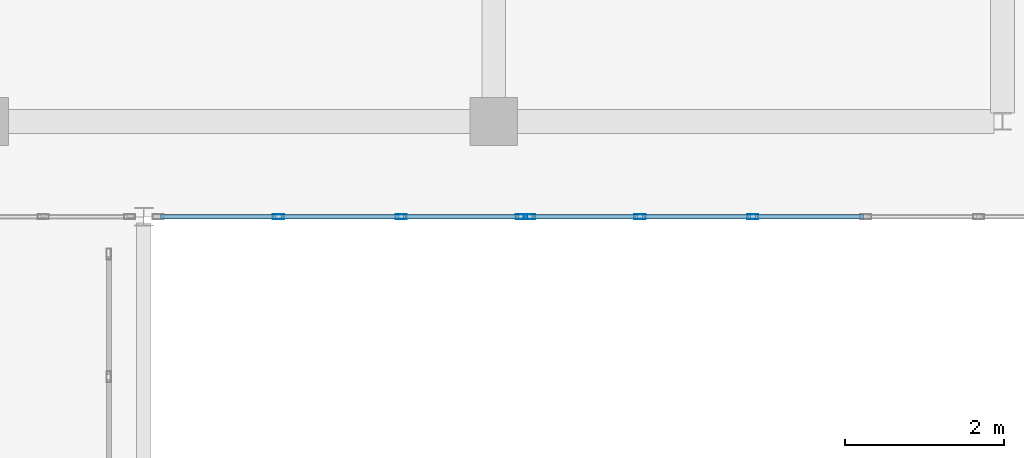
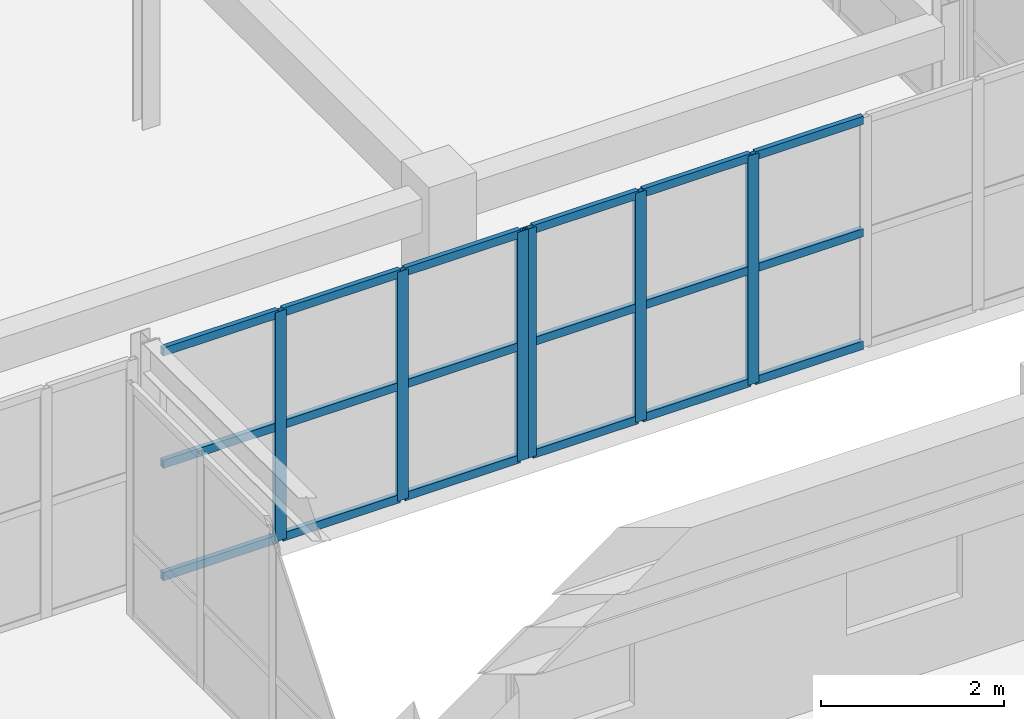
# One storey, part 57 of 200: 24 members, 2 elements without a shape of their own.
"""IFC4 building model written with IfcOpenShell, lengths in metres."""

from ifc_helpers import new_model, si_unit, direction, frame, origin, origin_2d, place, context, subcontext, project, spatial, hollow_rectangle, extrude, material, layer, layer_set, material_profile, profile_set, type_object, element, aggregate, save


model = new_model("IFC4")

# Units and contexts
model_context = context("Model", 3, precision=1e-05, world=origin(), true_north=direction((0.0, 1.0)))
body_context = subcontext(model_context, "Body", "Model", "MODEL_VIEW")
ifc_project = project(units=[si_unit("LENGTHUNIT", "METRE"), si_unit("AREAUNIT", "SQUARE_METRE"), si_unit("VOLUMEUNIT", "CUBIC_METRE"), si_unit("PLANEANGLEUNIT", "RADIAN"), si_unit("MASSUNIT", "GRAM", prefix="KILO")], contexts=[model_context])

# Site, building, storey
site_placement = place(None, origin())
site = spatial("IfcSite", under=ifc_project, at=site_placement, CompositionType="ELEMENT")
building_placement = place(site_placement, origin())
building = spatial("IfcBuilding", under=site, at=building_placement, Name="Trelvath General Hospital", CompositionType="ELEMENT")
storey_placement = place(building_placement, frame((0.0, 0.0, 4.800048828125)))
storey = spatial("IfcBuildingStorey", under=building, at=storey_placement, Name="L01", CompositionType="ELEMENT", Elevation=4.800048828125)

# Curtain wall, members
ifc_material_1 = material(Name="Anodised aluminium and low-E glass", Category="aluminium")
ifc_layer_1 = layer(ifc_material_1, 0.14990234375)
ifc_layer_set_1 = layer_set([ifc_layer_1], Name="Anodised aluminium and low-E glass")
curtain_wall_type_1 = type_object("IfcCurtainWallType", Name="CW CrystalCube 463 306 15", PredefinedType="USERDEFINED", material=ifc_layer_set_1)
curtain_wall_1_placement = place(storey_placement, origin())
curtain_wall_1 = element("IfcCurtainWall", 1, at=curtain_wall_1_placement, inside=storey, type_object=curtain_wall_type_1, Name="Crystal Cube Curtain Wall CUBE-E-T0 S4 L01", ObjectType="Unitised Glazed Curtain Wall", PredefinedType="USERDEFINED")
ifc_material_2 = material(Name="Anodised aluminium", Category="aluminium")
ifc_material_profile_1 = material_profile(ifc_material_2, hollow_rectangle(XDim=0.06005859375, YDim=0.139892578125, WallThickness=0.00390625, at=origin_2d()), Name="RHS60x140x4")
ifc_profile_set_1 = profile_set([ifc_material_profile_1], Name="Anodised aluminium")
member_type_1 = type_object("IfcMemberType", Name="CurtainMullion 60x140", PredefinedType="MULLION", material=ifc_profile_set_1)
member_1_placement = place(storey_placement, frame((113.949951171875, 30.800048828125, 0.0), z_axis=(0.0, 0.0, 1.0), x_axis=(0.0, -1.0, 0.0)))
member_1 = element("IfcMember", 2, at=member_1_placement, type_object=member_type_1, Name="CW-153 mullion 1", PredefinedType="MULLION", context=body_context, shape_type="SweptSolid", body=[
    extrude(hollow_rectangle(XDim=0.06005859375, YDim=0.139892578125, WallThickness=0.00390625, at=origin_2d()), origin(), (0.0, 0.0, 1.0), 3.06005859375),
])
member_2_placement = place(storey_placement, frame((112.436767578125, 30.800048828125, 0.0), z_axis=(0.0, 0.0, 1.0), x_axis=(0.0, -1.0, 0.0)))
member_2 = element("IfcMember", 3, at=member_2_placement, type_object=member_type_1, Name="CW-153 mullion 2", PredefinedType="MULLION", context=body_context, shape_type="SweptSolid", body=[
    extrude(hollow_rectangle(XDim=0.06005859375, YDim=0.139892578125, WallThickness=0.00390625, at=origin_2d()), origin(), (0.0, 0.0, 1.0), 3.06005859375),
])
member_3_placement = place(storey_placement, frame((110.893310546875, 30.800048828125, 0.0), z_axis=(0.0, 0.0, 1.0), x_axis=(0.0, -1.0, 0.0)))
member_3 = element("IfcMember", 4, at=member_3_placement, type_object=member_type_1, Name="CW-153 mullion 3", PredefinedType="MULLION", context=body_context, shape_type="SweptSolid", body=[
    extrude(hollow_rectangle(XDim=0.06005859375, YDim=0.139892578125, WallThickness=0.00390625, at=origin_2d()), origin(), (0.0, 0.0, 1.0), 3.06005859375),
])

ifc_material_3 = material(Name="Anodised aluminium and low-E glass", Category="aluminium")
ifc_layer_2 = layer(ifc_material_3, 0.14990234375)
ifc_layer_set_2 = layer_set([ifc_layer_2], Name="Anodised aluminium and low-E glass")
curtain_wall_type_2 = type_object("IfcCurtainWallType", Name="CW CrystalCube 710 306 15", PredefinedType="USERDEFINED", material=ifc_layer_set_2)
curtain_wall_2_placement = place(storey_placement, origin())
curtain_wall_2 = element("IfcCurtainWall", 5, at=curtain_wall_2_placement, inside=storey, type_object=curtain_wall_type_2, Name="Crystal Cube Curtain Wall CUBE-E-T0 S5 L01", ObjectType="Unitised Glazed Curtain Wall", PredefinedType="USERDEFINED")
member_4_placement = place(storey_placement, frame((116.860107421875, 30.800048828125, 0.0), z_axis=(0.0, 0.0, 1.0), x_axis=(0.0, -1.0, 0.0)))
member_4 = element("IfcMember", 6, at=member_4_placement, type_object=member_type_1, Name="CW-154 mullion 4", PredefinedType="MULLION", context=body_context, shape_type="SweptSolid", body=[
    extrude(hollow_rectangle(XDim=0.06005859375, YDim=0.139892578125, WallThickness=0.00390625, at=origin_2d()), origin(), (0.0, 0.0, 1.0), 3.06005859375),
])
member_5_placement = place(storey_placement, frame((115.43994140625, 30.800048828125, 0.0), z_axis=(0.0, 0.0, 1.0), x_axis=(0.0, -1.0, 0.0)))
member_5 = element("IfcMember", 7, at=member_5_placement, type_object=member_type_1, Name="CW-154 mullion 5", PredefinedType="MULLION", context=body_context, shape_type="SweptSolid", body=[
    extrude(hollow_rectangle(XDim=0.06005859375, YDim=0.139892578125, WallThickness=0.00390625, at=origin_2d()), origin(), (0.0, 0.0, 1.0), 3.06005859375),
])
member_6_placement = place(storey_placement, frame((114.050048828125, 30.800048828125, 0.0), z_axis=(0.0, 0.0, 1.0), x_axis=(0.0, -1.0, 0.0)))
member_6 = element("IfcMember", 8, at=member_6_placement, type_object=member_type_1, Name="CW-154 mullion 6", PredefinedType="MULLION", context=body_context, shape_type="SweptSolid", body=[
    extrude(hollow_rectangle(XDim=0.06005859375, YDim=0.139892578125, WallThickness=0.00390625, at=origin_2d()), origin(), (0.0, 0.0, 1.0), 3.06005859375),
])

# Member
ifc_material_4 = material(Name="Anodised aluminium", Category="aluminium")
ifc_material_profile_2 = material_profile(ifc_material_4, hollow_rectangle(XDim=0.06005859375, YDim=0.110107421875, WallThickness=0.00390625, at=origin_2d()), Name="RHS60x110x4")
ifc_profile_set_2 = profile_set([ifc_material_profile_2], Name="Anodised aluminium")
member_type_2 = type_object("IfcMemberType", Name="CurtainTransom 60x110", PredefinedType="USERDEFINED", material=ifc_profile_set_2)
member_7_placement = place(storey_placement, frame((113.919921875, 30.800048828125, 0.030029296875), z_axis=(-1.0, 0.0, 0.0), x_axis=(0.0, -1.0, 0.0)))
member_7 = element("IfcMember", 9, at=member_7_placement, type_object=member_type_2, Name="CW-153 transom 1.1", ObjectType="TRANSOM", PredefinedType="USERDEFINED", context=body_context, shape_type="SweptSolid", body=[
    extrude(hollow_rectangle(XDim=0.06005859375, YDim=0.110107421875, WallThickness=0.00390625, at=origin_2d()), origin(), (0.0, 0.0, 1.0), 1.453369140625),
])

member_8_placement = place(storey_placement, frame((113.919921875, 30.800048828125, 1.530029296875), z_axis=(-1.0, 0.0, 0.0), x_axis=(0.0, -1.0, 0.0)))
member_8 = element("IfcMember", 10, at=member_8_placement, type_object=member_type_2, Name="CW-153 transom 1.2", ObjectType="TRANSOM", PredefinedType="USERDEFINED", context=body_context, shape_type="SweptSolid", body=[
    extrude(hollow_rectangle(XDim=0.06005859375, YDim=0.110107421875, WallThickness=0.00390625, at=origin_2d()), origin(), (0.0, 0.0, 1.0), 1.453369140625),
])

member_9_placement = place(storey_placement, frame((113.919921875, 30.800048828125, 3.030029296875), z_axis=(-1.0, 0.0, 0.0), x_axis=(0.0, -1.0, 0.0)))
member_9 = element("IfcMember", 11, at=member_9_placement, type_object=member_type_2, Name="CW-153 transom 1.3", ObjectType="TRANSOM", PredefinedType="USERDEFINED", context=body_context, shape_type="SweptSolid", body=[
    extrude(hollow_rectangle(XDim=0.06005859375, YDim=0.110107421875, WallThickness=0.00390625, at=origin_2d()), origin(), (0.0, 0.0, 1.0), 1.453369140625),
])

member_10_placement = place(storey_placement, frame((112.40673828125, 30.800048828125, 0.030029296875), z_axis=(-1.0, 0.0, 0.0), x_axis=(0.0, -1.0, 0.0)))
member_10 = element("IfcMember", 12, at=member_10_placement, type_object=member_type_2, Name="CW-153 transom 2.1", ObjectType="TRANSOM", PredefinedType="USERDEFINED", context=body_context, shape_type="SweptSolid", body=[
    extrude(hollow_rectangle(XDim=0.06005859375, YDim=0.110107421875, WallThickness=0.00390625, at=origin_2d()), origin(), (0.0, 0.0, 1.0), 1.4833984375),
])

member_11_placement = place(storey_placement, frame((112.40673828125, 30.800048828125, 1.530029296875), z_axis=(-1.0, 0.0, 0.0), x_axis=(0.0, -1.0, 0.0)))
member_11 = element("IfcMember", 13, at=member_11_placement, type_object=member_type_2, Name="CW-153 transom 2.2", ObjectType="TRANSOM", PredefinedType="USERDEFINED", context=body_context, shape_type="SweptSolid", body=[
    extrude(hollow_rectangle(XDim=0.06005859375, YDim=0.110107421875, WallThickness=0.00390625, at=origin_2d()), origin(), (0.0, 0.0, 1.0), 1.4833984375),
])

member_12_placement = place(storey_placement, frame((112.40673828125, 30.800048828125, 3.030029296875), z_axis=(-1.0, 0.0, 0.0), x_axis=(0.0, -1.0, 0.0)))
member_12 = element("IfcMember", 14, at=member_12_placement, type_object=member_type_2, Name="CW-153 transom 2.3", ObjectType="TRANSOM", PredefinedType="USERDEFINED", context=body_context, shape_type="SweptSolid", body=[
    extrude(hollow_rectangle(XDim=0.06005859375, YDim=0.110107421875, WallThickness=0.00390625, at=origin_2d()), origin(), (0.0, 0.0, 1.0), 1.4833984375),
])

member_13_placement = place(storey_placement, frame((110.86328125, 30.800048828125, 0.030029296875), z_axis=(-1.0, 0.0, 0.0), x_axis=(0.0, -1.0, 0.0)))
member_13 = element("IfcMember", 15, at=member_13_placement, type_object=member_type_2, Name="CW-153 transom 3.1", ObjectType="TRANSOM", PredefinedType="USERDEFINED", context=body_context, shape_type="SweptSolid", body=[
    extrude(hollow_rectangle(XDim=0.06005859375, YDim=0.110107421875, WallThickness=0.00390625, at=origin_2d()), origin(), (0.0, 0.0, 1.0), 1.453369140625),
])

member_14_placement = place(storey_placement, frame((110.86328125, 30.800048828125, 1.530029296875), z_axis=(-1.0, 0.0, 0.0), x_axis=(0.0, -1.0, 0.0)))
member_14 = element("IfcMember", 16, at=member_14_placement, type_object=member_type_2, Name="CW-153 transom 3.2", ObjectType="TRANSOM", PredefinedType="USERDEFINED", context=body_context, shape_type="SweptSolid", body=[
    extrude(hollow_rectangle(XDim=0.06005859375, YDim=0.110107421875, WallThickness=0.00390625, at=origin_2d()), origin(), (0.0, 0.0, 1.0), 1.453369140625),
])

member_15_placement = place(storey_placement, frame((110.86328125, 30.800048828125, 3.030029296875), z_axis=(-1.0, 0.0, 0.0), x_axis=(0.0, -1.0, 0.0)))
member_15 = element("IfcMember", 17, at=member_15_placement, type_object=member_type_2, Name="CW-153 transom 3.3", ObjectType="TRANSOM", PredefinedType="USERDEFINED", context=body_context, shape_type="SweptSolid", body=[
    extrude(hollow_rectangle(XDim=0.06005859375, YDim=0.110107421875, WallThickness=0.00390625, at=origin_2d()), origin(), (0.0, 0.0, 1.0), 1.453369140625),
])

aggregate(curtain_wall_1, [member_1, member_2, member_3, member_7, member_8, member_9, member_10, member_11, member_12, member_13, member_14, member_15])

member_16_placement = place(storey_placement, frame((118.25, 30.800048828125, 0.030029296875), z_axis=(-1.0, 0.0, 0.0), x_axis=(0.0, -1.0, 0.0)))
member_16 = element("IfcMember", 18, at=member_16_placement, type_object=member_type_2, Name="CW-154 transom 3.1", ObjectType="TRANSOM", PredefinedType="USERDEFINED", context=body_context, shape_type="SweptSolid", body=[
    extrude(hollow_rectangle(XDim=0.06005859375, YDim=0.110107421875, WallThickness=0.00390625, at=origin_2d()), origin(), (0.0, 0.0, 1.0), 1.360107421875),
])

member_17_placement = place(storey_placement, frame((118.25, 30.800048828125, 1.530029296875), z_axis=(-1.0, 0.0, 0.0), x_axis=(0.0, -1.0, 0.0)))
member_17 = element("IfcMember", 19, at=member_17_placement, type_object=member_type_2, Name="CW-154 transom 3.2", ObjectType="TRANSOM", PredefinedType="USERDEFINED", context=body_context, shape_type="SweptSolid", body=[
    extrude(hollow_rectangle(XDim=0.06005859375, YDim=0.110107421875, WallThickness=0.00390625, at=origin_2d()), origin(), (0.0, 0.0, 1.0), 1.360107421875),
])

member_18_placement = place(storey_placement, frame((118.25, 30.800048828125, 3.030029296875), z_axis=(-1.0, 0.0, 0.0), x_axis=(0.0, -1.0, 0.0)))
member_18 = element("IfcMember", 20, at=member_18_placement, type_object=member_type_2, Name="CW-154 transom 3.3", ObjectType="TRANSOM", PredefinedType="USERDEFINED", context=body_context, shape_type="SweptSolid", body=[
    extrude(hollow_rectangle(XDim=0.06005859375, YDim=0.110107421875, WallThickness=0.00390625, at=origin_2d()), origin(), (0.0, 0.0, 1.0), 1.360107421875),
])

member_19_placement = place(storey_placement, frame((116.830078125, 30.800048828125, 0.030029296875), z_axis=(-1.0, 0.0, 0.0), x_axis=(0.0, -1.0, 0.0)))
member_19 = element("IfcMember", 21, at=member_19_placement, type_object=member_type_2, Name="CW-154 transom 4.1", ObjectType="TRANSOM", PredefinedType="USERDEFINED", context=body_context, shape_type="SweptSolid", body=[
    extrude(hollow_rectangle(XDim=0.06005859375, YDim=0.110107421875, WallThickness=0.00390625, at=origin_2d()), origin(), (0.0, 0.0, 1.0), 1.360107421875),
])

member_20_placement = place(storey_placement, frame((116.830078125, 30.800048828125, 1.530029296875), z_axis=(-1.0, 0.0, 0.0), x_axis=(0.0, -1.0, 0.0)))
member_20 = element("IfcMember", 22, at=member_20_placement, type_object=member_type_2, Name="CW-154 transom 4.2", ObjectType="TRANSOM", PredefinedType="USERDEFINED", context=body_context, shape_type="SweptSolid", body=[
    extrude(hollow_rectangle(XDim=0.06005859375, YDim=0.110107421875, WallThickness=0.00390625, at=origin_2d()), origin(), (0.0, 0.0, 1.0), 1.360107421875),
])

member_21_placement = place(storey_placement, frame((116.830078125, 30.800048828125, 3.030029296875), z_axis=(-1.0, 0.0, 0.0), x_axis=(0.0, -1.0, 0.0)))
member_21 = element("IfcMember", 23, at=member_21_placement, type_object=member_type_2, Name="CW-154 transom 4.3", ObjectType="TRANSOM", PredefinedType="USERDEFINED", context=body_context, shape_type="SweptSolid", body=[
    extrude(hollow_rectangle(XDim=0.06005859375, YDim=0.110107421875, WallThickness=0.00390625, at=origin_2d()), origin(), (0.0, 0.0, 1.0), 1.360107421875),
])

member_22_placement = place(storey_placement, frame((115.409912109375, 30.800048828125, 0.030029296875), z_axis=(-1.0, 0.0, 0.0), x_axis=(0.0, -1.0, 0.0)))
member_22 = element("IfcMember", 24, at=member_22_placement, type_object=member_type_2, Name="CW-154 transom 5.1", ObjectType="TRANSOM", PredefinedType="USERDEFINED", context=body_context, shape_type="SweptSolid", body=[
    extrude(hollow_rectangle(XDim=0.06005859375, YDim=0.110107421875, WallThickness=0.00390625, at=origin_2d()), origin(), (0.0, 0.0, 1.0), 1.329833984375),
])

member_23_placement = place(storey_placement, frame((115.409912109375, 30.800048828125, 1.530029296875), z_axis=(-1.0, 0.0, 0.0), x_axis=(0.0, -1.0, 0.0)))
member_23 = element("IfcMember", 25, at=member_23_placement, type_object=member_type_2, Name="CW-154 transom 5.2", ObjectType="TRANSOM", PredefinedType="USERDEFINED", context=body_context, shape_type="SweptSolid", body=[
    extrude(hollow_rectangle(XDim=0.06005859375, YDim=0.110107421875, WallThickness=0.00390625, at=origin_2d()), origin(), (0.0, 0.0, 1.0), 1.329833984375),
])

member_24_placement = place(storey_placement, frame((115.409912109375, 30.800048828125, 3.030029296875), z_axis=(-1.0, 0.0, 0.0), x_axis=(0.0, -1.0, 0.0)))
member_24 = element("IfcMember", 26, at=member_24_placement, type_object=member_type_2, Name="CW-154 transom 5.3", ObjectType="TRANSOM", PredefinedType="USERDEFINED", context=body_context, shape_type="SweptSolid", body=[
    extrude(hollow_rectangle(XDim=0.06005859375, YDim=0.110107421875, WallThickness=0.00390625, at=origin_2d()), origin(), (0.0, 0.0, 1.0), 1.329833984375),
])

aggregate(curtain_wall_2, [member_4, member_5, member_6, member_16, member_17, member_18, member_19, member_20, member_21, member_22, member_23, member_24])

save(model, "model.ifc")
